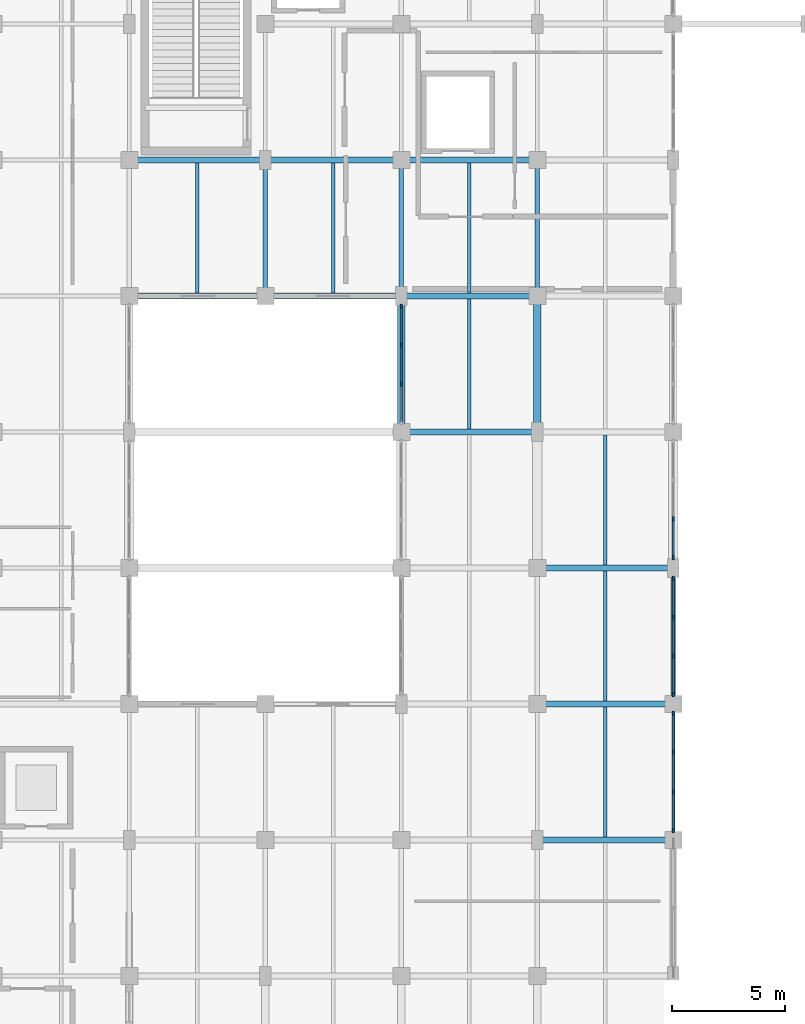
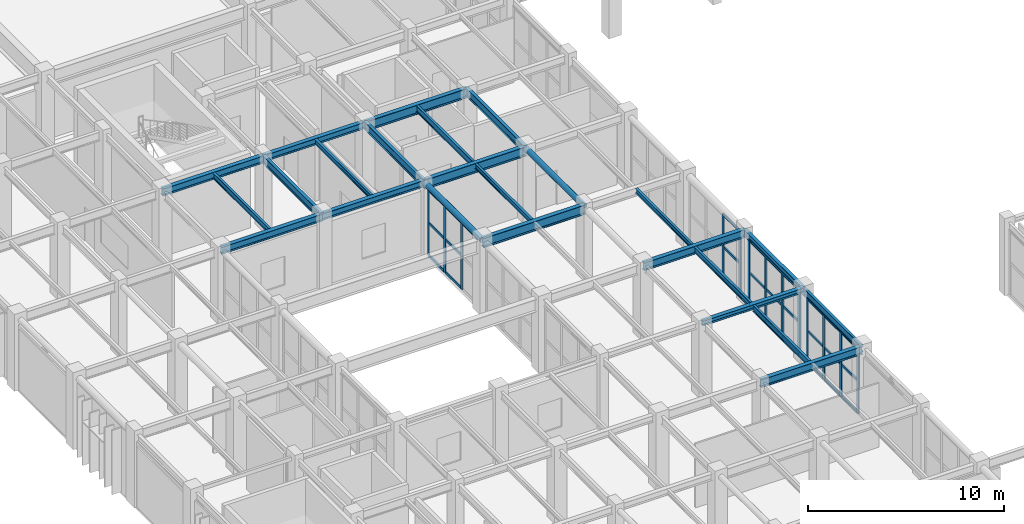
# One storey, part 11 of 76: 41 members, 24 beams, 4 elements without a shape of their own.
"""IFC4 building model written with IfcOpenShell, lengths in metres."""

from ifc_helpers import new_model, si_unit, direction, frame, origin, origin_2d, place, context, subcontext, project, spatial, rectangle, hollow_circle, i_section, extrude, material, material_profile, profile_set, type_object, element, aggregate, save


model = new_model("IFC4")

# Units and contexts
model_context = context("Model", 3, precision=1e-05, world=origin(), true_north=direction((0.0, 1.0)))
body_context = subcontext(model_context, "Body", "Model", "MODEL_VIEW")
ifc_project = project(units=[si_unit("LENGTHUNIT", "METRE"), si_unit("AREAUNIT", "SQUARE_METRE"), si_unit("VOLUMEUNIT", "CUBIC_METRE"), si_unit("PLANEANGLEUNIT", "RADIAN"), si_unit("MASSUNIT", "GRAM", prefix="KILO")], contexts=[model_context])

# Site, building, storey
site_placement = place(None, origin())
site = spatial("IfcSite", under=ifc_project, at=site_placement, CompositionType="ELEMENT")
building_placement = place(site_placement, origin())
building = spatial("IfcBuilding", under=site, at=building_placement, Name="Varnakota Square Police Headquarters", CompositionType="ELEMENT")
storey_placement = place(building_placement, origin())
storey = spatial("IfcBuildingStorey", under=building, at=storey_placement, Name="L00", CompositionType="ELEMENT", Elevation=0.0)

# Beams
ifc_material_1 = material(Name="Steel IS 2062 Grade 350", Category="steel")
ifc_material_profile_1 = material_profile(ifc_material_1, hollow_circle(Radius=0.161865234375, WallThickness=0.0126953125, at=origin_2d()), Name="CHS 323.9x12.7")
ifc_profile_set_1 = profile_set([ifc_material_profile_1], Name="Steel IS 2062 Grade 350")
beam_type_1 = type_object("IfcBeamType", Name="BM-ARC-CHS324", PredefinedType="BEAM", material=ifc_profile_set_1)
for number, where, z_axis, x_axis, name in (
    (1, (30.0, 51.0, 4.337890625), (0.0, 1.0, 0.0), (-1.0, 0.0, 0.0), "BMG-L00-0992"),
    (2, (36.0, 51.0, 4.337890625), (0.0, 1.0, 0.0), (-1.0, 0.0, 0.0), "BMG-L00-1006"),
):
    element("IfcBeam", number, at=place(storey_placement, frame(where, z_axis=z_axis, x_axis=x_axis)), inside=storey, type_object=beam_type_1, Name=name, PredefinedType="BEAM", context=body_context, shape_type="SweptSolid", body=[
        extrude(hollow_circle(Radius=0.161865234375, WallThickness=0.0126953125, at=origin_2d()), origin(), (0.0, 0.0, 1.0), 6.0),
    ])
ifc_material_profile_2 = material_profile(ifc_material_1, i_section(OverallWidth=0.25, OverallDepth=0.300048828125, WebThickness=0.009521484375, FlangeThickness=0.010498046875, FilletRadius=0.011962890625, at=origin_2d()), Name="ISHB 300")
ifc_profile_set_2 = profile_set([ifc_material_profile_2], Name="Steel IS 2062 Grade 350")
beam_type_2 = type_object("IfcBeamType", Name="BM-ISHB300", PredefinedType="BEAM", material=ifc_profile_set_2)
beam_1_placement = place(storey_placement, frame((36.0, 39.0, 4.35009765625), z_axis=(1.0, 0.0, 0.0), x_axis=(0.0, 1.0, 0.0)))
element("IfcBeam", 3, at=beam_1_placement, inside=storey, type_object=beam_type_2, Name="BMG-L00-0778", PredefinedType="BEAM", context=body_context, shape_type="SweptSolid", body=[
    extrude(i_section(OverallWidth=0.25, OverallDepth=0.300048828125, WebThickness=0.009521484375, FlangeThickness=0.010498046875, FilletRadius=0.011962890625, at=origin_2d()), origin(), (0.0, 0.0, 1.0), 6.0),
])
ifc_material_profile_3 = material_profile(ifc_material_1, i_section(OverallWidth=0.25, OverallDepth=0.39990234375, WebThickness=0.010498046875, FlangeThickness=0.0126953125, FilletRadius=0.013916015625, at=origin_2d()), Name="ISHB 400")
ifc_profile_set_3 = profile_set([ifc_material_profile_3], Name="Steel IS 2062 Grade 350")
beam_type_3 = type_object("IfcBeamType", Name="BM-ISHB400", PredefinedType="BEAM", material=ifc_profile_set_3)
for number, where, z_axis, x_axis, name in (
    (4, (24.0, 57.0, 4.300048828125), (1.0, 0.0, 0.0), (0.0, 1.0, 0.0), "BMG-L00-0806"),
    (5, (24.0, 63.0, 4.300048828125), (1.0, 0.0, 0.0), (0.0, 1.0, 0.0), "BMG-L00-0812"),
):
    element("IfcBeam", number, at=place(storey_placement, frame(where, z_axis=z_axis, x_axis=x_axis)), inside=storey, type_object=beam_type_3, Name=name, PredefinedType="BEAM", context=body_context, shape_type="SweptSolid", body=[
        extrude(i_section(OverallWidth=0.25, OverallDepth=0.39990234375, WebThickness=0.010498046875, FlangeThickness=0.0126953125, FilletRadius=0.013916015625, at=origin_2d()), origin(), (0.0, 0.0, 1.0), 6.0),
    ])
ifc_material_profile_4 = material_profile(ifc_material_1, i_section(OverallWidth=0.25, OverallDepth=0.449951171875, WebThickness=0.01123046875, FlangeThickness=0.013671875, FilletRadius=0.014892578125, at=origin_2d()), Name="ISHB 450")
ifc_profile_set_4 = profile_set([ifc_material_profile_4], Name="Steel IS 2062 Grade 350")
beam_type_4 = type_object("IfcBeamType", Name="BM-ISHB450", PredefinedType="BEAM", material=ifc_profile_set_4)
for number, where, z_axis, x_axis, name in (
    (6, (18.0, 57.0, 4.27490234375), (1.0, 0.0, 0.0), (0.0, 1.0, 0.0), "BMG-L00-0805"),
    (7, (18.0, 63.0, 4.27490234375), (1.0, 0.0, 0.0), (0.0, 1.0, 0.0), "BMG-L00-0811"),
):
    element("IfcBeam", number, at=place(storey_placement, frame(where, z_axis=z_axis, x_axis=x_axis)), inside=storey, type_object=beam_type_4, Name=name, PredefinedType="BEAM", context=body_context, shape_type="SweptSolid", body=[
        extrude(i_section(OverallWidth=0.25, OverallDepth=0.449951171875, WebThickness=0.01123046875, FlangeThickness=0.013671875, FilletRadius=0.014892578125, at=origin_2d()), origin(), (0.0, 0.0, 1.0), 6.0),
    ])
ifc_material_profile_5 = material_profile(ifc_material_1, i_section(OverallWidth=0.139892578125, OverallDepth=0.300048828125, WebThickness=0.0078125, FlangeThickness=0.01318359375, FilletRadius=0.013916015625, at=origin_2d()), Name="ISMB 300")
ifc_profile_set_5 = profile_set([ifc_material_profile_5], Name="Steel IS 2062 Grade 350")
beam_type_5 = type_object("IfcBeamType", Name="BM-ISMB300", PredefinedType="JOIST", material=ifc_profile_set_5)
for number, where, z_axis, x_axis, name in (
    (8, (27.0, 57.123046875, 4.35009765625), (0.0, 1.0, 0.0), (-1.0, 0.0, 0.0), "BMG-L00-1211"),
    (9, (33.0, 51.123046875, 4.35009765625), (0.0, 1.0, 0.0), (-1.0, 0.0, 0.0), "BMG-L00-1221"),
    (10, (39.0, 45.123046875, 4.35009765625), (0.0, 1.0, 0.0), (-1.0, 0.0, 0.0), "BMG-L00-1231"),
):
    element("IfcBeam", number, at=place(storey_placement, frame(where, z_axis=z_axis, x_axis=x_axis)), inside=storey, type_object=beam_type_5, Name=name, PredefinedType="JOIST", context=body_context, shape_type="SweptSolid", body=[
        extrude(i_section(OverallWidth=0.139892578125, OverallDepth=0.300048828125, WebThickness=0.0078125, FlangeThickness=0.01318359375, FilletRadius=0.013916015625, at=origin_2d()), origin(), (0.0, 0.0, 1.0), 5.75390625),
    ])
ifc_material_profile_6 = material_profile(ifc_material_1, i_section(OverallWidth=0.139892578125, OverallDepth=0.35009765625, WebThickness=0.008056640625, FlangeThickness=0.01416015625, FilletRadius=0.013916015625, at=origin_2d()), Name="ISMB 350")
ifc_profile_set_6 = profile_set([ifc_material_profile_6], Name="Steel IS 2062 Grade 350")
beam_type_6 = type_object("IfcBeamType", Name="BM-ISMB350", PredefinedType="JOIST", material=ifc_profile_set_6)
for number, where, z_axis, x_axis, name in (
    (11, (21.0, 57.123046875, 4.324951171875), (0.0, 1.0, 0.0), (-1.0, 0.0, 0.0), "BMG-L00-1204"),
    (12, (39.0, 39.123046875, 4.324951171875), (0.0, 1.0, 0.0), (-1.0, 0.0, 0.0), "BMG-L00-1230"),
):
    element("IfcBeam", number, at=place(storey_placement, frame(where, z_axis=z_axis, x_axis=x_axis)), inside=storey, type_object=beam_type_6, Name=name, PredefinedType="JOIST", context=body_context, shape_type="SweptSolid", body=[
        extrude(i_section(OverallWidth=0.139892578125, OverallDepth=0.35009765625, WebThickness=0.008056640625, FlangeThickness=0.01416015625, FilletRadius=0.013916015625, at=origin_2d()), origin(), (0.0, 0.0, 1.0), 5.75390625),
    ])
ifc_material_profile_7 = material_profile(ifc_material_1, i_section(OverallWidth=0.139892578125, OverallDepth=0.39990234375, WebThickness=0.0087890625, FlangeThickness=0.01611328125, FilletRadius=0.013916015625, at=origin_2d()), Name="ISMB 400")
ifc_profile_set_7 = profile_set([ifc_material_profile_7], Name="Steel IS 2062 Grade 350")
beam_type_7 = type_object("IfcBeamType", Name="BM-ISMB400", PredefinedType="JOIST", material=ifc_profile_set_7)
for number, where, z_axis, x_axis, name in (
    (13, (33.0, 57.123046875, 4.300048828125), (0.0, 1.0, 0.0), (-1.0, 0.0, 0.0), "BMG-L00-1222"),
    (14, (39.0, 33.123046875, 4.300048828125), (0.0, 1.0, 0.0), (-1.0, 0.0, 0.0), "BMG-L00-1229"),
):
    element("IfcBeam", number, at=place(storey_placement, frame(where, z_axis=z_axis, x_axis=x_axis)), inside=storey, type_object=beam_type_7, Name=name, PredefinedType="JOIST", context=body_context, shape_type="SweptSolid", body=[
        extrude(i_section(OverallWidth=0.139892578125, OverallDepth=0.39990234375, WebThickness=0.0087890625, FlangeThickness=0.01611328125, FilletRadius=0.013916015625, at=origin_2d()), origin(), (0.0, 0.0, 1.0), 5.75390625),
    ])
ifc_material_profile_8 = material_profile(ifc_material_1, i_section(OverallWidth=0.14990234375, OverallDepth=0.449951171875, WebThickness=0.009521484375, FlangeThickness=0.017333984375, FilletRadius=0.014892578125, at=origin_2d()), Name="ISMB 450")
ifc_profile_set_8 = profile_set([ifc_material_profile_8], Name="Steel IS 2062 Grade 350")
beam_type_8 = type_object("IfcBeamType", Name="BM-ISMB450", PredefinedType="BEAM", material=ifc_profile_set_8)
beam_2_placement = place(storey_placement, frame((42.0, 33.0, 4.27490234375), z_axis=(0.0, 1.0, 0.0), x_axis=(-1.0, 0.0, 0.0)))
element("IfcBeam", 15, at=beam_2_placement, inside=storey, type_object=beam_type_8, Name="BMG-L00-1015", PredefinedType="BEAM", context=body_context, shape_type="SweptSolid", body=[
    extrude(i_section(OverallWidth=0.14990234375, OverallDepth=0.449951171875, WebThickness=0.009521484375, FlangeThickness=0.017333984375, FilletRadius=0.014892578125, at=origin_2d()), origin(), (0.0, 0.0, 1.0), 6.0),
])
ifc_material_profile_9 = material_profile(ifc_material_1, i_section(OverallWidth=0.179931640625, OverallDepth=0.5, WebThickness=0.01025390625, FlangeThickness=0.01708984375, FilletRadius=0.01708984375, at=origin_2d()), Name="ISMB 500")
ifc_profile_set_9 = profile_set([ifc_material_profile_9], Name="Steel IS 2062 Grade 350")
beam_type_9 = type_object("IfcBeamType", Name="BM-ISMB500", PredefinedType="BEAM", material=ifc_profile_set_9)
for number, where, z_axis, x_axis, name in (
    (16, (24.0, 57.0, 4.25), (0.0, 1.0, 0.0), (-1.0, 0.0, 0.0), "BMG-L00-0982"),
    (17, (30.0, 57.0, 4.25), (0.0, 1.0, 0.0), (-1.0, 0.0, 0.0), "BMG-L00-0993"),
    (18, (36.0, 57.0, 4.25), (0.0, 1.0, 0.0), (-1.0, 0.0, 0.0), "BMG-L00-1007"),
):
    element("IfcBeam", number, at=place(storey_placement, frame(where, z_axis=z_axis, x_axis=x_axis)), inside=storey, type_object=beam_type_9, Name=name, PredefinedType="BEAM", context=body_context, shape_type="SweptSolid", body=[
        extrude(i_section(OverallWidth=0.179931640625, OverallDepth=0.5, WebThickness=0.01025390625, FlangeThickness=0.01708984375, FilletRadius=0.01708984375, at=origin_2d()), origin(), (0.0, 0.0, 1.0), 6.0),
    ])
ifc_material_profile_10 = material_profile(ifc_material_1, i_section(OverallWidth=0.199951171875, OverallDepth=0.39990234375, WebThickness=0.008544921875, FlangeThickness=0.012939453125, FilletRadius=0.012939453125, at=origin_2d()), Name="ISWB 400")
ifc_profile_set_10 = profile_set([ifc_material_profile_10], Name="Steel IS 2062 Grade 350")
beam_type_10 = type_object("IfcBeamType", Name="BM-ISWB400", PredefinedType="BEAM", material=ifc_profile_set_10)
beam_3_placement = place(storey_placement, frame((42.0, 39.0, 4.300048828125), z_axis=(0.0, 1.0, 0.0), x_axis=(-1.0, 0.0, 0.0)))
element("IfcBeam", 19, at=beam_3_placement, inside=storey, type_object=beam_type_10, Name="BMG-L00-1016", PredefinedType="BEAM", context=body_context, shape_type="SweptSolid", body=[
    extrude(i_section(OverallWidth=0.199951171875, OverallDepth=0.39990234375, WebThickness=0.008544921875, FlangeThickness=0.012939453125, FilletRadius=0.012939453125, at=origin_2d()), origin(), (0.0, 0.0, 1.0), 6.0),
])
ifc_material_profile_11 = material_profile(ifc_material_1, i_section(OverallWidth=0.25, OverallDepth=0.5, WebThickness=0.010009765625, FlangeThickness=0.0146484375, FilletRadius=0.014892578125, at=origin_2d()), Name="ISWB 500")
ifc_profile_set_11 = profile_set([ifc_material_profile_11], Name="Steel IS 2062 Grade 350")
beam_type_11 = type_object("IfcBeamType", Name="BM-ISWB500", PredefinedType="BEAM", material=ifc_profile_set_11)
for number, where, z_axis, x_axis, name in (
    (20, (36.0, 33.0, 4.25), (1.0, 0.0, 0.0), (0.0, 1.0, 0.0), "BMG-L00-0767"),
    (21, (36.0, 45.0, 4.25), (1.0, 0.0, 0.0), (0.0, 1.0, 0.0), "BMG-L00-0794"),
):
    element("IfcBeam", number, at=place(storey_placement, frame(where, z_axis=z_axis, x_axis=x_axis)), inside=storey, type_object=beam_type_11, Name=name, PredefinedType="BEAM", context=body_context, shape_type="SweptSolid", body=[
        extrude(i_section(OverallWidth=0.25, OverallDepth=0.5, WebThickness=0.010009765625, FlangeThickness=0.0146484375, FilletRadius=0.014892578125, at=origin_2d()), origin(), (0.0, 0.0, 1.0), 6.0),
    ])
ifc_material_profile_12 = material_profile(ifc_material_1, i_section(OverallWidth=0.25, OverallDepth=0.60009765625, WebThickness=0.01171875, FlangeThickness=0.023681640625, FilletRadius=0.01708984375, at=origin_2d()), Name="ISWB 600")
ifc_profile_set_12 = profile_set([ifc_material_profile_12], Name="Steel IS 2062 Grade 350")
beam_type_12 = type_object("IfcBeamType", Name="BM-ISWB600", PredefinedType="BEAM", material=ifc_profile_set_12)
for number, where, z_axis, x_axis, name in (
    (22, (30.0, 51.0, 4.199951171875), (1.0, 0.0, 0.0), (0.0, 1.0, 0.0), "BMG-L00-0801"),
    (23, (30.0, 57.0, 4.199951171875), (1.0, 0.0, 0.0), (0.0, 1.0, 0.0), "BMG-L00-0807"),
    (24, (30.0, 63.0, 4.199951171875), (1.0, 0.0, 0.0), (0.0, 1.0, 0.0), "BMG-L00-0813"),
):
    element("IfcBeam", number, at=place(storey_placement, frame(where, z_axis=z_axis, x_axis=x_axis)), inside=storey, type_object=beam_type_12, Name=name, PredefinedType="BEAM", context=body_context, shape_type="SweptSolid", body=[
        extrude(i_section(OverallWidth=0.25, OverallDepth=0.60009765625, WebThickness=0.01171875, FlangeThickness=0.023681640625, FilletRadius=0.01708984375, at=origin_2d()), origin(), (0.0, 0.0, 1.0), 6.0),
    ])

# Curtain wall, members
ifc_material_2 = material(Name="Anodised Aluminium Framing", Category="aluminium")
curtain_wall_type_1 = type_object("IfcCurtainWallType", Name="CW-SYS-D", PredefinedType="NOTDEFINED", material=ifc_material_2)
curtain_wall_1_placement = place(storey_placement, origin())
curtain_wall_1 = element("IfcCurtainWall", 25, at=curtain_wall_1_placement, inside=storey, type_object=curtain_wall_type_1, Name="Unitised curtain wall CWG-L00-128", PredefinedType="NOTDEFINED")
ifc_material_3 = material(Name="Anodised Aluminium 6063-T6", Category="aluminium")
ifc_material_profile_13 = material_profile(ifc_material_3, rectangle(XDim=0.074951171875, YDim=0.199951171875, at=origin_2d()), Name="ALU MULLION 75x200")
ifc_profile_set_13 = profile_set([ifc_material_profile_13], Name="Anodised Aluminium 6063-T6")
member_type_1 = type_object("IfcMemberType", Name="CWM-180", PredefinedType="MULLION", material=ifc_profile_set_13)
member_1_placement = place(storey_placement, frame((42.0, 33.41748046875, 0.0), z_axis=(0.0, 0.0, 1.0), x_axis=(-1.0, 0.0, 0.0)))
member_1 = element("IfcMember", 26, at=member_1_placement, type_object=member_type_1, Name="CWG-L00-128 mullion 1", PredefinedType="MULLION", context=body_context, shape_type="SweptSolid", body=[
    extrude(rectangle(XDim=0.074951171875, YDim=0.199951171875, at=origin_2d()), origin(), (0.0, 0.0, 1.0), 4.0400390625),
])
member_2_placement = place(storey_placement, frame((42.0, 35.126708984375, 0.0), z_axis=(0.0, 0.0, 1.0), x_axis=(-1.0, 0.0, 0.0)))
member_2 = element("IfcMember", 27, at=member_2_placement, type_object=member_type_1, Name="CWG-L00-128 mullion 2", PredefinedType="MULLION", context=body_context, shape_type="SweptSolid", body=[
    extrude(rectangle(XDim=0.074951171875, YDim=0.199951171875, at=origin_2d()), origin(), (0.0, 0.0, 1.0), 4.0400390625),
])
member_3_placement = place(storey_placement, frame((42.0, 36.873291015625, 0.0), z_axis=(0.0, 0.0, 1.0), x_axis=(-1.0, 0.0, 0.0)))
member_3 = element("IfcMember", 28, at=member_3_placement, type_object=member_type_1, Name="CWG-L00-128 mullion 3", PredefinedType="MULLION", context=body_context, shape_type="SweptSolid", body=[
    extrude(rectangle(XDim=0.074951171875, YDim=0.199951171875, at=origin_2d()), origin(), (0.0, 0.0, 1.0), 4.0400390625),
])
member_4_placement = place(storey_placement, frame((42.0, 38.58251953125, 0.0), z_axis=(0.0, 0.0, 1.0), x_axis=(-1.0, 0.0, 0.0)))
member_4 = element("IfcMember", 29, at=member_4_placement, type_object=member_type_1, Name="CWG-L00-128 mullion 4", PredefinedType="MULLION", context=body_context, shape_type="SweptSolid", body=[
    extrude(rectangle(XDim=0.074951171875, YDim=0.199951171875, at=origin_2d()), origin(), (0.0, 0.0, 1.0), 4.0400390625),
])

curtain_wall_2_placement = place(storey_placement, origin())
curtain_wall_2 = element("IfcCurtainWall", 30, at=curtain_wall_2_placement, inside=storey, type_object=curtain_wall_type_1, Name="Unitised curtain wall CWG-L00-129", PredefinedType="NOTDEFINED")
member_5_placement = place(storey_placement, frame((42.0, 39.41748046875, 0.0), z_axis=(0.0, 0.0, 1.0), x_axis=(-1.0, 0.0, 0.0)))
member_5 = element("IfcMember", 31, at=member_5_placement, type_object=member_type_1, Name="CWG-L00-129 mullion 1", PredefinedType="MULLION", context=body_context, shape_type="SweptSolid", body=[
    extrude(rectangle(XDim=0.074951171875, YDim=0.199951171875, at=origin_2d()), origin(), (0.0, 0.0, 1.0), 4.090087890625),
])
member_6_placement = place(storey_placement, frame((42.0, 41.110107421875, 0.0), z_axis=(0.0, 0.0, 1.0), x_axis=(-1.0, 0.0, 0.0)))
member_6 = element("IfcMember", 32, at=member_6_placement, type_object=member_type_1, Name="CWG-L00-129 mullion 2", PredefinedType="MULLION", context=body_context, shape_type="SweptSolid", body=[
    extrude(rectangle(XDim=0.074951171875, YDim=0.199951171875, at=origin_2d()), origin(), (0.0, 0.0, 1.0), 4.090087890625),
])
member_7_placement = place(storey_placement, frame((42.0, 42.840087890625, 0.0), z_axis=(0.0, 0.0, 1.0), x_axis=(-1.0, 0.0, 0.0)))
member_7 = element("IfcMember", 33, at=member_7_placement, type_object=member_type_1, Name="CWG-L00-129 mullion 3", PredefinedType="MULLION", context=body_context, shape_type="SweptSolid", body=[
    extrude(rectangle(XDim=0.074951171875, YDim=0.199951171875, at=origin_2d()), origin(), (0.0, 0.0, 1.0), 4.090087890625),
])
member_8_placement = place(storey_placement, frame((42.0, 44.532470703125, 0.0), z_axis=(0.0, 0.0, 1.0), x_axis=(-1.0, 0.0, 0.0)))
member_8 = element("IfcMember", 34, at=member_8_placement, type_object=member_type_1, Name="CWG-L00-129 mullion 4", PredefinedType="MULLION", context=body_context, shape_type="SweptSolid", body=[
    extrude(rectangle(XDim=0.074951171875, YDim=0.199951171875, at=origin_2d()), origin(), (0.0, 0.0, 1.0), 4.090087890625),
])

curtain_wall_3_placement = place(storey_placement, origin())
curtain_wall_3 = element("IfcCurtainWall", 35, at=curtain_wall_3_placement, inside=storey, type_object=curtain_wall_type_1, Name="Unitised curtain wall CWG-L00-130", PredefinedType="NOTDEFINED")
member_9_placement = place(storey_placement, frame((42.0, 45.467529296875, 0.0), z_axis=(0.0, 0.0, 1.0), x_axis=(-1.0, 0.0, 0.0)))
member_9 = element("IfcMember", 36, at=member_9_placement, type_object=member_type_1, Name="CWG-L00-130 mullion 1", PredefinedType="MULLION", context=body_context, shape_type="SweptSolid", body=[
    extrude(rectangle(XDim=0.074951171875, YDim=0.199951171875, at=origin_2d()), origin(), (0.0, 0.0, 1.0), 4.08349609375),
])
member_10_placement = place(storey_placement, frame((42.0, 47.159912109375, 0.0), z_axis=(0.0, 0.0, 1.0), x_axis=(-1.0, 0.0, 0.0)))
member_10 = element("IfcMember", 37, at=member_10_placement, type_object=member_type_1, Name="CWG-L00-130 mullion 2", PredefinedType="MULLION", context=body_context, shape_type="SweptSolid", body=[
    extrude(rectangle(XDim=0.074951171875, YDim=0.199951171875, at=origin_2d()), origin(), (0.0, 0.0, 1.0), 4.08349609375),
])

curtain_wall_type_2 = type_object("IfcCurtainWallType", Name="CW-SYS-F", PredefinedType="NOTDEFINED", material=ifc_material_2)
curtain_wall_4_placement = place(storey_placement, origin())
curtain_wall_4 = element("IfcCurtainWall", 38, at=curtain_wall_4_placement, inside=storey, type_object=curtain_wall_type_2, Name="Unitised curtain wall CWG-L00-139", PredefinedType="NOTDEFINED")
member_11_placement = place(storey_placement, frame((30.0, 53.110107421875, 0.0), z_axis=(0.0, 0.0, 1.0), x_axis=(-1.0, 0.0, 0.0)))
member_11 = element("IfcMember", 39, at=member_11_placement, type_object=member_type_1, Name="CWG-L00-139 mullion 2", PredefinedType="MULLION", context=body_context, shape_type="SweptSolid", body=[
    extrude(rectangle(XDim=0.074951171875, YDim=0.199951171875, at=origin_2d()), origin(), (0.0, 0.0, 1.0), 4.166015625),
])
member_12_placement = place(storey_placement, frame((30.0, 54.840087890625, 0.0), z_axis=(0.0, 0.0, 1.0), x_axis=(-1.0, 0.0, 0.0)))
member_12 = element("IfcMember", 40, at=member_12_placement, type_object=member_type_1, Name="CWG-L00-139 mullion 3", PredefinedType="MULLION", context=body_context, shape_type="SweptSolid", body=[
    extrude(rectangle(XDim=0.074951171875, YDim=0.199951171875, at=origin_2d()), origin(), (0.0, 0.0, 1.0), 4.166015625),
])
member_13_placement = place(storey_placement, frame((30.0, 56.532470703125, 0.0), z_axis=(0.0, 0.0, 1.0), x_axis=(-1.0, 0.0, 0.0)))
member_13 = element("IfcMember", 41, at=member_13_placement, type_object=member_type_1, Name="CWG-L00-139 mullion 4", PredefinedType="MULLION", context=body_context, shape_type="SweptSolid", body=[
    extrude(rectangle(XDim=0.074951171875, YDim=0.199951171875, at=origin_2d()), origin(), (0.0, 0.0, 1.0), 4.166015625),
])

# Member
ifc_material_profile_14 = material_profile(ifc_material_3, rectangle(XDim=0.074951171875, YDim=0.159912109375, at=origin_2d()), Name="ALU TRANSOM 75x160")
ifc_profile_set_14 = profile_set([ifc_material_profile_14], Name="Anodised Aluminium 6063-T6")
member_type_2 = type_object("IfcMemberType", Name="CWT-150", PredefinedType="USERDEFINED", material=ifc_profile_set_14)
member_14_placement = place(storey_placement, frame((42.0, 33.455078125, 0.03759765625), z_axis=(0.0, 1.0, 0.0), x_axis=(-1.0, 0.0, 0.0)))
member_14 = element("IfcMember", 42, at=member_14_placement, type_object=member_type_2, Name="CWG-L00-128 transom 1.1", ObjectType="TRANSOM", PredefinedType="USERDEFINED", context=body_context, shape_type="SweptSolid", body=[
    extrude(rectangle(XDim=0.074951171875, YDim=0.159912109375, at=origin_2d()), origin(), (0.0, 0.0, 1.0), 1.634033203125),
])

member_15_placement = place(storey_placement, frame((42.0, 33.455078125, 2.02001953125), z_axis=(0.0, 1.0, 0.0), x_axis=(-1.0, 0.0, 0.0)))
member_15 = element("IfcMember", 43, at=member_15_placement, type_object=member_type_2, Name="CWG-L00-128 transom 1.2", ObjectType="TRANSOM", PredefinedType="USERDEFINED", context=body_context, shape_type="SweptSolid", body=[
    extrude(rectangle(XDim=0.074951171875, YDim=0.159912109375, at=origin_2d()), origin(), (0.0, 0.0, 1.0), 1.634033203125),
])

member_16_placement = place(storey_placement, frame((42.0, 33.455078125, 4.00244140625), z_axis=(0.0, 1.0, 0.0), x_axis=(-1.0, 0.0, 0.0)))
member_16 = element("IfcMember", 44, at=member_16_placement, type_object=member_type_2, Name="CWG-L00-128 transom 1.3", ObjectType="TRANSOM", PredefinedType="USERDEFINED", context=body_context, shape_type="SweptSolid", body=[
    extrude(rectangle(XDim=0.074951171875, YDim=0.159912109375, at=origin_2d()), origin(), (0.0, 0.0, 1.0), 1.634033203125),
])

member_17_placement = place(storey_placement, frame((42.0, 35.1640625, 0.03759765625), z_axis=(0.0, 1.0, 0.0), x_axis=(-1.0, 0.0, 0.0)))
member_17 = element("IfcMember", 45, at=member_17_placement, type_object=member_type_2, Name="CWG-L00-128 transom 2.1", ObjectType="TRANSOM", PredefinedType="USERDEFINED", context=body_context, shape_type="SweptSolid", body=[
    extrude(rectangle(XDim=0.074951171875, YDim=0.159912109375, at=origin_2d()), origin(), (0.0, 0.0, 1.0), 1.671875),
])

member_18_placement = place(storey_placement, frame((42.0, 35.1640625, 2.02001953125), z_axis=(0.0, 1.0, 0.0), x_axis=(-1.0, 0.0, 0.0)))
member_18 = element("IfcMember", 46, at=member_18_placement, type_object=member_type_2, Name="CWG-L00-128 transom 2.2", ObjectType="TRANSOM", PredefinedType="USERDEFINED", context=body_context, shape_type="SweptSolid", body=[
    extrude(rectangle(XDim=0.074951171875, YDim=0.159912109375, at=origin_2d()), origin(), (0.0, 0.0, 1.0), 1.671875),
])

member_19_placement = place(storey_placement, frame((42.0, 35.1640625, 4.00244140625), z_axis=(0.0, 1.0, 0.0), x_axis=(-1.0, 0.0, 0.0)))
member_19 = element("IfcMember", 47, at=member_19_placement, type_object=member_type_2, Name="CWG-L00-128 transom 2.3", ObjectType="TRANSOM", PredefinedType="USERDEFINED", context=body_context, shape_type="SweptSolid", body=[
    extrude(rectangle(XDim=0.074951171875, YDim=0.159912109375, at=origin_2d()), origin(), (0.0, 0.0, 1.0), 1.671875),
])

member_20_placement = place(storey_placement, frame((42.0, 36.910888671875, 0.03759765625), z_axis=(0.0, 1.0, 0.0), x_axis=(-1.0, 0.0, 0.0)))
member_20 = element("IfcMember", 48, at=member_20_placement, type_object=member_type_2, Name="CWG-L00-128 transom 3.1", ObjectType="TRANSOM", PredefinedType="USERDEFINED", context=body_context, shape_type="SweptSolid", body=[
    extrude(rectangle(XDim=0.074951171875, YDim=0.159912109375, at=origin_2d()), origin(), (0.0, 0.0, 1.0), 1.634033203125),
])

member_21_placement = place(storey_placement, frame((42.0, 36.910888671875, 2.02001953125), z_axis=(0.0, 1.0, 0.0), x_axis=(-1.0, 0.0, 0.0)))
member_21 = element("IfcMember", 49, at=member_21_placement, type_object=member_type_2, Name="CWG-L00-128 transom 3.2", ObjectType="TRANSOM", PredefinedType="USERDEFINED", context=body_context, shape_type="SweptSolid", body=[
    extrude(rectangle(XDim=0.074951171875, YDim=0.159912109375, at=origin_2d()), origin(), (0.0, 0.0, 1.0), 1.634033203125),
])

member_22_placement = place(storey_placement, frame((42.0, 36.910888671875, 4.00244140625), z_axis=(0.0, 1.0, 0.0), x_axis=(-1.0, 0.0, 0.0)))
member_22 = element("IfcMember", 50, at=member_22_placement, type_object=member_type_2, Name="CWG-L00-128 transom 3.3", ObjectType="TRANSOM", PredefinedType="USERDEFINED", context=body_context, shape_type="SweptSolid", body=[
    extrude(rectangle(XDim=0.074951171875, YDim=0.159912109375, at=origin_2d()), origin(), (0.0, 0.0, 1.0), 1.634033203125),
])

aggregate(curtain_wall_1, [member_1, member_2, member_3, member_4, member_14, member_15, member_16, member_17, member_18, member_19, member_20, member_21, member_22])

member_23_placement = place(storey_placement, frame((42.0, 39.455078125, 0.03759765625), z_axis=(0.0, 1.0, 0.0), x_axis=(-1.0, 0.0, 0.0)))
member_23 = element("IfcMember", 51, at=member_23_placement, type_object=member_type_2, Name="CWG-L00-129 transom 1.1", ObjectType="TRANSOM", PredefinedType="USERDEFINED", context=body_context, shape_type="SweptSolid", body=[
    extrude(rectangle(XDim=0.074951171875, YDim=0.159912109375, at=origin_2d()), origin(), (0.0, 0.0, 1.0), 1.617431640625),
])

member_24_placement = place(storey_placement, frame((42.0, 39.455078125, 2.044921875), z_axis=(0.0, 1.0, 0.0), x_axis=(-1.0, 0.0, 0.0)))
member_24 = element("IfcMember", 52, at=member_24_placement, type_object=member_type_2, Name="CWG-L00-129 transom 1.2", ObjectType="TRANSOM", PredefinedType="USERDEFINED", context=body_context, shape_type="SweptSolid", body=[
    extrude(rectangle(XDim=0.074951171875, YDim=0.159912109375, at=origin_2d()), origin(), (0.0, 0.0, 1.0), 1.617431640625),
])

member_25_placement = place(storey_placement, frame((42.0, 39.455078125, 4.052490234375), z_axis=(0.0, 1.0, 0.0), x_axis=(-1.0, 0.0, 0.0)))
member_25 = element("IfcMember", 53, at=member_25_placement, type_object=member_type_2, Name="CWG-L00-129 transom 1.3", ObjectType="TRANSOM", PredefinedType="USERDEFINED", context=body_context, shape_type="SweptSolid", body=[
    extrude(rectangle(XDim=0.074951171875, YDim=0.159912109375, at=origin_2d()), origin(), (0.0, 0.0, 1.0), 1.617431640625),
])

member_26_placement = place(storey_placement, frame((42.0, 41.1474609375, 0.03759765625), z_axis=(0.0, 1.0, 0.0), x_axis=(-1.0, 0.0, 0.0)))
member_26 = element("IfcMember", 54, at=member_26_placement, type_object=member_type_2, Name="CWG-L00-129 transom 2.1", ObjectType="TRANSOM", PredefinedType="USERDEFINED", context=body_context, shape_type="SweptSolid", body=[
    extrude(rectangle(XDim=0.074951171875, YDim=0.159912109375, at=origin_2d()), origin(), (0.0, 0.0, 1.0), 1.655029296875),
])

member_27_placement = place(storey_placement, frame((42.0, 41.1474609375, 2.044921875), z_axis=(0.0, 1.0, 0.0), x_axis=(-1.0, 0.0, 0.0)))
member_27 = element("IfcMember", 55, at=member_27_placement, type_object=member_type_2, Name="CWG-L00-129 transom 2.2", ObjectType="TRANSOM", PredefinedType="USERDEFINED", context=body_context, shape_type="SweptSolid", body=[
    extrude(rectangle(XDim=0.074951171875, YDim=0.159912109375, at=origin_2d()), origin(), (0.0, 0.0, 1.0), 1.655029296875),
])

member_28_placement = place(storey_placement, frame((42.0, 41.1474609375, 4.052490234375), z_axis=(0.0, 1.0, 0.0), x_axis=(-1.0, 0.0, 0.0)))
member_28 = element("IfcMember", 56, at=member_28_placement, type_object=member_type_2, Name="CWG-L00-129 transom 2.3", ObjectType="TRANSOM", PredefinedType="USERDEFINED", context=body_context, shape_type="SweptSolid", body=[
    extrude(rectangle(XDim=0.074951171875, YDim=0.159912109375, at=origin_2d()), origin(), (0.0, 0.0, 1.0), 1.655029296875),
])

member_29_placement = place(storey_placement, frame((42.0, 42.87744140625, 0.03759765625), z_axis=(0.0, 1.0, 0.0), x_axis=(-1.0, 0.0, 0.0)))
member_29 = element("IfcMember", 57, at=member_29_placement, type_object=member_type_2, Name="CWG-L00-129 transom 3.1", ObjectType="TRANSOM", PredefinedType="USERDEFINED", context=body_context, shape_type="SweptSolid", body=[
    extrude(rectangle(XDim=0.074951171875, YDim=0.159912109375, at=origin_2d()), origin(), (0.0, 0.0, 1.0), 1.61767578125),
])

member_30_placement = place(storey_placement, frame((42.0, 42.87744140625, 2.044921875), z_axis=(0.0, 1.0, 0.0), x_axis=(-1.0, 0.0, 0.0)))
member_30 = element("IfcMember", 58, at=member_30_placement, type_object=member_type_2, Name="CWG-L00-129 transom 3.2", ObjectType="TRANSOM", PredefinedType="USERDEFINED", context=body_context, shape_type="SweptSolid", body=[
    extrude(rectangle(XDim=0.074951171875, YDim=0.159912109375, at=origin_2d()), origin(), (0.0, 0.0, 1.0), 1.61767578125),
])

member_31_placement = place(storey_placement, frame((42.0, 42.87744140625, 4.052490234375), z_axis=(0.0, 1.0, 0.0), x_axis=(-1.0, 0.0, 0.0)))
member_31 = element("IfcMember", 59, at=member_31_placement, type_object=member_type_2, Name="CWG-L00-129 transom 3.3", ObjectType="TRANSOM", PredefinedType="USERDEFINED", context=body_context, shape_type="SweptSolid", body=[
    extrude(rectangle(XDim=0.074951171875, YDim=0.159912109375, at=origin_2d()), origin(), (0.0, 0.0, 1.0), 1.61767578125),
])

aggregate(curtain_wall_2, [member_5, member_6, member_7, member_8, member_23, member_24, member_25, member_26, member_27, member_28, member_29, member_30, member_31])

member_32_placement = place(storey_placement, frame((42.0, 45.5048828125, 0.03759765625), z_axis=(0.0, 1.0, 0.0), x_axis=(-1.0, 0.0, 0.0)))
member_32 = element("IfcMember", 60, at=member_32_placement, type_object=member_type_2, Name="CWG-L00-130 transom 1.1", ObjectType="TRANSOM", PredefinedType="USERDEFINED", context=body_context, shape_type="SweptSolid", body=[
    extrude(rectangle(XDim=0.074951171875, YDim=0.159912109375, at=origin_2d()), origin(), (0.0, 0.0, 1.0), 1.61767578125),
])

member_33_placement = place(storey_placement, frame((42.0, 45.5048828125, 2.041748046875), z_axis=(0.0, 1.0, 0.0), x_axis=(-1.0, 0.0, 0.0)))
member_33 = element("IfcMember", 61, at=member_33_placement, type_object=member_type_2, Name="CWG-L00-130 transom 1.2", ObjectType="TRANSOM", PredefinedType="USERDEFINED", context=body_context, shape_type="SweptSolid", body=[
    extrude(rectangle(XDim=0.074951171875, YDim=0.159912109375, at=origin_2d()), origin(), (0.0, 0.0, 1.0), 1.61767578125),
])

member_34_placement = place(storey_placement, frame((42.0, 45.5048828125, 4.046142578125), z_axis=(0.0, 1.0, 0.0), x_axis=(-1.0, 0.0, 0.0)))
member_34 = element("IfcMember", 62, at=member_34_placement, type_object=member_type_2, Name="CWG-L00-130 transom 1.3", ObjectType="TRANSOM", PredefinedType="USERDEFINED", context=body_context, shape_type="SweptSolid", body=[
    extrude(rectangle(XDim=0.074951171875, YDim=0.159912109375, at=origin_2d()), origin(), (0.0, 0.0, 1.0), 1.61767578125),
])

aggregate(curtain_wall_3, [member_9, member_10, member_32, member_33, member_34])

member_35_placement = place(storey_placement, frame((30.0, 51.455078125, 4.128662109375), z_axis=(0.0, 1.0, 0.0), x_axis=(-1.0, 0.0, 0.0)))
member_35 = element("IfcMember", 63, at=member_35_placement, type_object=member_type_2, Name="CWG-L00-139 transom 1.3", ObjectType="TRANSOM", PredefinedType="USERDEFINED", context=body_context, shape_type="SweptSolid", body=[
    extrude(rectangle(XDim=0.074951171875, YDim=0.159912109375, at=origin_2d()), origin(), (0.0, 0.0, 1.0), 1.617431640625),
])

member_36_placement = place(storey_placement, frame((30.0, 53.1474609375, 0.03759765625), z_axis=(0.0, 1.0, 0.0), x_axis=(-1.0, 0.0, 0.0)))
member_36 = element("IfcMember", 64, at=member_36_placement, type_object=member_type_2, Name="CWG-L00-139 transom 2.1", ObjectType="TRANSOM", PredefinedType="USERDEFINED", context=body_context, shape_type="SweptSolid", body=[
    extrude(rectangle(XDim=0.074951171875, YDim=0.159912109375, at=origin_2d()), origin(), (0.0, 0.0, 1.0), 1.655029296875),
])

member_37_placement = place(storey_placement, frame((30.0, 53.1474609375, 2.0830078125), z_axis=(0.0, 1.0, 0.0), x_axis=(-1.0, 0.0, 0.0)))
member_37 = element("IfcMember", 65, at=member_37_placement, type_object=member_type_2, Name="CWG-L00-139 transom 2.2", ObjectType="TRANSOM", PredefinedType="USERDEFINED", context=body_context, shape_type="SweptSolid", body=[
    extrude(rectangle(XDim=0.074951171875, YDim=0.159912109375, at=origin_2d()), origin(), (0.0, 0.0, 1.0), 1.655029296875),
])

member_38_placement = place(storey_placement, frame((30.0, 53.1474609375, 4.128662109375), z_axis=(0.0, 1.0, 0.0), x_axis=(-1.0, 0.0, 0.0)))
member_38 = element("IfcMember", 66, at=member_38_placement, type_object=member_type_2, Name="CWG-L00-139 transom 2.3", ObjectType="TRANSOM", PredefinedType="USERDEFINED", context=body_context, shape_type="SweptSolid", body=[
    extrude(rectangle(XDim=0.074951171875, YDim=0.159912109375, at=origin_2d()), origin(), (0.0, 0.0, 1.0), 1.655029296875),
])

member_39_placement = place(storey_placement, frame((30.0, 54.87744140625, 0.03759765625), z_axis=(0.0, 1.0, 0.0), x_axis=(-1.0, 0.0, 0.0)))
member_39 = element("IfcMember", 67, at=member_39_placement, type_object=member_type_2, Name="CWG-L00-139 transom 3.1", ObjectType="TRANSOM", PredefinedType="USERDEFINED", context=body_context, shape_type="SweptSolid", body=[
    extrude(rectangle(XDim=0.074951171875, YDim=0.159912109375, at=origin_2d()), origin(), (0.0, 0.0, 1.0), 1.61767578125),
])

member_40_placement = place(storey_placement, frame((30.0, 54.87744140625, 2.0830078125), z_axis=(0.0, 1.0, 0.0), x_axis=(-1.0, 0.0, 0.0)))
member_40 = element("IfcMember", 68, at=member_40_placement, type_object=member_type_2, Name="CWG-L00-139 transom 3.2", ObjectType="TRANSOM", PredefinedType="USERDEFINED", context=body_context, shape_type="SweptSolid", body=[
    extrude(rectangle(XDim=0.074951171875, YDim=0.159912109375, at=origin_2d()), origin(), (0.0, 0.0, 1.0), 1.61767578125),
])

member_41_placement = place(storey_placement, frame((30.0, 54.87744140625, 4.128662109375), z_axis=(0.0, 1.0, 0.0), x_axis=(-1.0, 0.0, 0.0)))
member_41 = element("IfcMember", 69, at=member_41_placement, type_object=member_type_2, Name="CWG-L00-139 transom 3.3", ObjectType="TRANSOM", PredefinedType="USERDEFINED", context=body_context, shape_type="SweptSolid", body=[
    extrude(rectangle(XDim=0.074951171875, YDim=0.159912109375, at=origin_2d()), origin(), (0.0, 0.0, 1.0), 1.61767578125),
])

aggregate(curtain_wall_4, [member_11, member_12, member_13, member_35, member_36, member_37, member_38, member_39, member_40, member_41])

save(model, "model.ifc")
